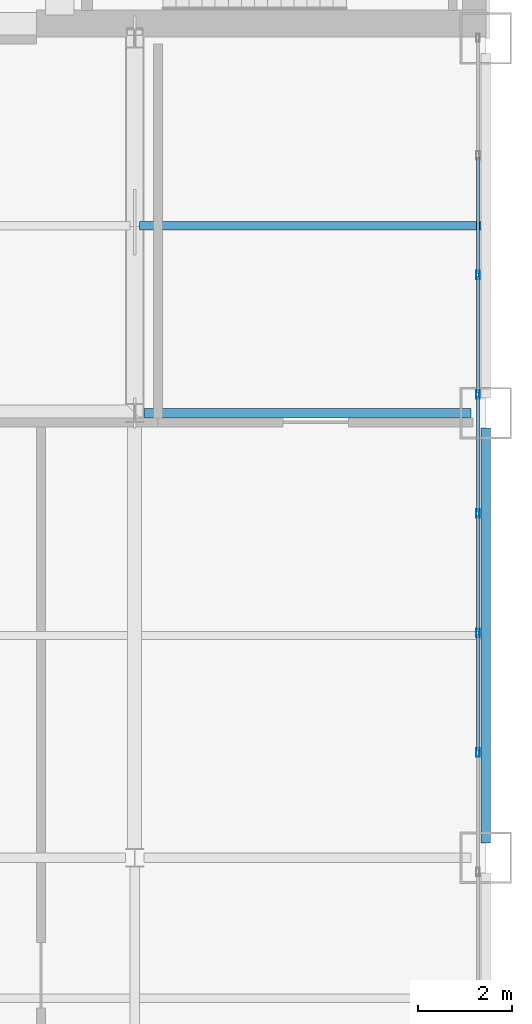
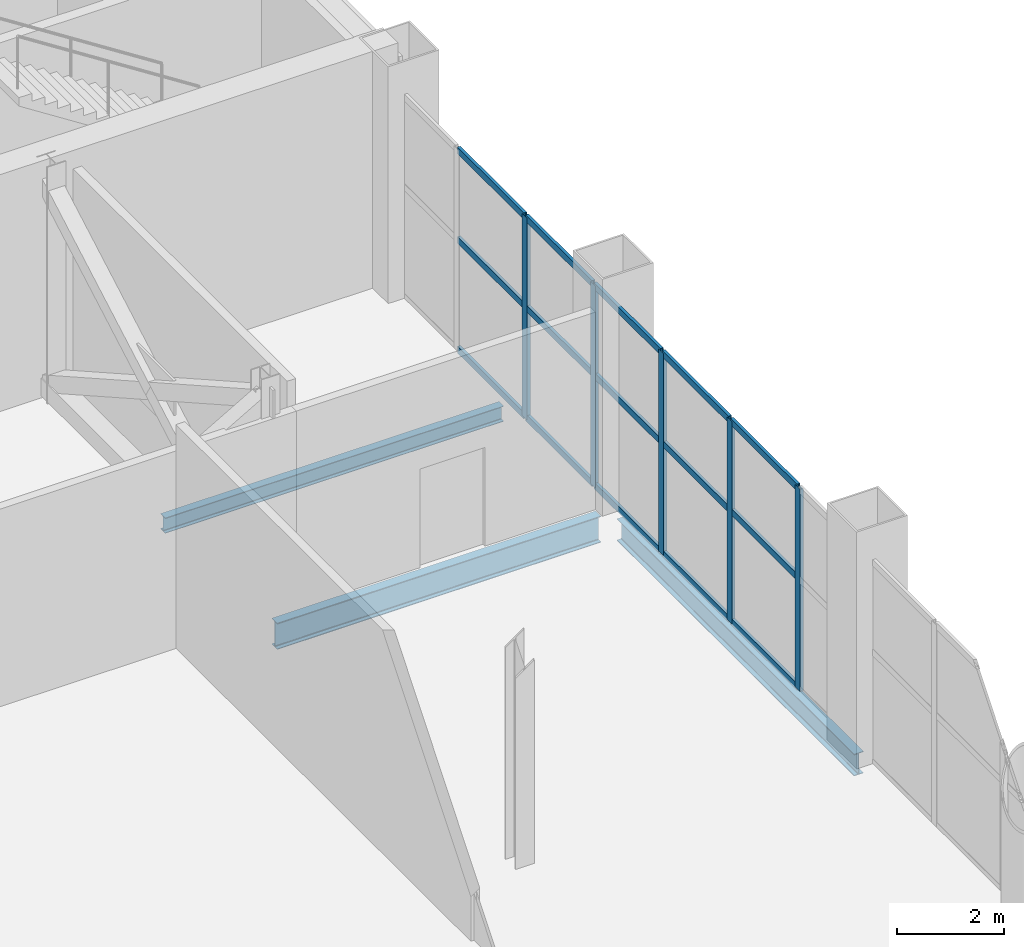
# One storey, part 12 of 24: 20 members, 3 beams, 1 element without a shape of its own.
"""IFC4 building model written with IfcOpenShell, lengths in metres."""

import ifcopenshell
import ifcopenshell.guid

model = None  # the IFC model being written
_history = None  # IfcOwnerHistory: only IFC2X3 demands one
_inside = {}  # id of a spatial element -> (the spatial element, [elements in it])
_under = {}  # id of a project, library or spatial element -> (it, [spatial elements below it])
_declared = {}  # id of a project -> (the project, [libraries it declares])
_typed = {}  # id of a type object -> (the type object, [elements of that type])
_made_of = {}  # id of a material, layer set ... -> (it, [elements and type objects made of it])


def new_model(schema):
    """Start an empty IFC model of exactly this schema.

    Asked for "IFC4X3", IfcOpenShell would pick the latest addendum, in which some entities
    have other attributes; the version numbers below select the first issue.
    IFC2X3 requires an IfcOwnerHistory on every rooted entity: one is made here for all.
    """
    global model, _history
    if schema == "IFC4X3":
        model = ifcopenshell.file(schema_version=(4, 3, 0, 0))
    else:
        model = ifcopenshell.file(schema=schema)
    _inside.clear()
    _under.clear()
    _declared.clear()
    _typed.clear()
    _made_of.clear()
    _history = None
    if model.schema == "IFC2X3":
        org = make("IfcOrganization", Name="unknown")
        user = make(
            "IfcPersonAndOrganization",
            ThePerson=make("IfcPerson", FamilyName="unknown"),
            TheOrganization=org,
        )
        app = make(
            "IfcApplication",
            ApplicationDeveloper=org,
            Version="unknown",
            ApplicationFullName="unknown",
            ApplicationIdentifier="unknown",
        )
        _history = make(
            "IfcOwnerHistory",
            OwningUser=user,
            OwningApplication=app,
            ChangeAction="ADDED",
            CreationDate=0,
        )
    return model


def make(cls, **values):
    """One entity of the class cls with the attributes given. An attribute that is None is left unset."""
    return model.create_entity(
        cls, **{name: value for name, value in values.items() if value is not None}
    )


def rooted(cls, **values):
    """An entity with a GlobalId (a new one), such as an element, a storey or a relation."""
    return make(cls, GlobalId=ifcopenshell.guid.new(), OwnerHistory=_history, **values)


def si_unit(unit_type, name, prefix=None):
    """IfcSIUnit, for example si_unit("LENGTHUNIT", "METRE", prefix="MILLI")."""
    return make("IfcSIUnit", UnitType=unit_type, Prefix=prefix, Name=name)


def assignment(units):
    """IfcUnitAssignment: the units of a project."""
    return None if units is None else make("IfcUnitAssignment", Units=units)


def point(xyz):
    """IfcCartesianPoint."""
    return None if xyz is None else make("IfcCartesianPoint", Coordinates=xyz)


def direction(xyz):
    """IfcDirection."""
    return None if xyz is None else make("IfcDirection", DirectionRatios=xyz)


def frame(location, z_axis=None, x_axis=None):
    """IfcAxis2Placement3D, a coordinate frame: its origin and axes. An axis left out is left unset."""
    return make(
        "IfcAxis2Placement3D",
        Location=point(location),
        Axis=direction(z_axis),
        RefDirection=direction(x_axis),
    )


def frame_2d(location, x_axis=None):
    """IfcAxis2Placement2D, a coordinate frame in the plane: its origin and x axis."""
    return make(
        "IfcAxis2Placement2D", Location=point(location), RefDirection=direction(x_axis)
    )


def origin():
    """The frame at (0, 0, 0) with its axes left unset."""
    return frame((0.0, 0.0, 0.0))


def origin_2d():
    """The frame at (0, 0) in the plane with its x axis left unset."""
    return frame_2d((0.0, 0.0))


def place(relative_to, where):
    """IfcLocalPlacement: puts the frame where relative to a parent placement (None: the world)."""
    return make(
        "IfcLocalPlacement", PlacementRelTo=relative_to, RelativePlacement=where
    )


def context(
    kind, dimensions, precision=None, world=None, true_north=None, identifier=None
):
    """IfcGeometricRepresentationContext, for example the 3D "Model" context."""
    return make(
        "IfcGeometricRepresentationContext",
        ContextIdentifier=identifier,
        ContextType=kind,
        CoordinateSpaceDimension=dimensions,
        Precision=precision,
        WorldCoordinateSystem=world,
        TrueNorth=true_north,
    )


def subcontext(parent, identifier, kind, view, scale=None):
    """IfcGeometricRepresentationSubContext, for example "Body" below "Model"."""
    return make(
        "IfcGeometricRepresentationSubContext",
        ContextIdentifier=identifier,
        ContextType=kind,
        ParentContext=parent,
        TargetScale=scale,
        TargetView=view,
    )


def project(units=None, contexts=None):
    """IfcProject with its units and contexts."""
    return rooted(
        "IfcProject",
        Name="project",
        RepresentationContexts=contexts,
        UnitsInContext=assignment(units),
    )


def spatial(cls, under=None, at=None, **own):
    """A site, building, storey or space (cls), placed at a placement, below another one or the project."""
    s = rooted(cls, ObjectPlacement=at, **own)
    if under is not None:
        _under.setdefault(under.id(), (under, []))[1].append(s)
    return s


def profile(cls, at=None, kind="AREA", **sizes):
    """A parametric profile (cls). Its sizes go by their IFC names, for example OverallWidth=200.0."""
    return make(cls, ProfileType=kind, Position=at, **sizes)


def hollow_rectangle(**sizes):
    """IfcRectangleHollowProfileDef."""
    return profile("IfcRectangleHollowProfileDef", **sizes)


def i_section(**sizes):
    """IfcIShapeProfileDef."""
    return profile("IfcIShapeProfileDef", **sizes)


def extrude(swept, where, along, depth):
    """IfcExtrudedAreaSolid: the profile swept, set in the frame where, extruded along a direction by depth."""
    return make(
        "IfcExtrudedAreaSolid",
        SweptArea=swept,
        Position=where,
        ExtrudedDirection=direction(along),
        Depth=depth,
    )


def shape(context_of_items, identifier, shape_type, items):
    """IfcShapeRepresentation: the items that make up one representation, for example the "Body"."""
    return make(
        "IfcShapeRepresentation",
        ContextOfItems=context_of_items,
        RepresentationIdentifier=identifier,
        RepresentationType=shape_type,
        Items=items,
    )


def material(Name=None, Category=None):
    """IfcMaterial."""
    return make("IfcMaterial", Name=Name, Category=Category)


def layer(
    of_material, thickness, ventilated=None, Name=None, Category=None, Priority=None
):
    """IfcMaterialLayer: one layer of a wall or slab, of a material (None: an air gap)."""
    return make(
        "IfcMaterialLayer",
        Material=of_material,
        LayerThickness=thickness,
        IsVentilated=ventilated,
        Name=Name,
        Category=Category,
        Priority=Priority,
    )


def layer_set(layers, Name=None):
    """IfcMaterialLayerSet."""
    return make("IfcMaterialLayerSet", MaterialLayers=layers, LayerSetName=Name)


def material_profile(
    of_material, cross_section, Name=None, Category=None, Priority=None
):
    """IfcMaterialProfile: a cross section and its material."""
    return make(
        "IfcMaterialProfile",
        Name=Name,
        Material=of_material,
        Profile=cross_section,
        Priority=Priority,
        Category=Category,
    )


def profile_set(profiles, Name=None, composite=None):
    """IfcMaterialProfileSet."""
    return make(
        "IfcMaterialProfileSet",
        Name=Name,
        MaterialProfiles=profiles,
        CompositeProfile=composite,
    )


def made_of(thing, what):
    """Note that an element or type object is made of a material, layer set ...; save() writes the relation."""
    if what is not None:
        _made_of.setdefault(what.id(), (what, []))[1].append(thing)
    return thing


def type_object(cls, material=None, **own):
    """A type object (cls), such as IfcWallType, which elements share."""
    return made_of(rooted(cls, **own), material)


def element(
    cls,
    number,
    at=None,
    inside=None,
    cuts=None,
    type_object=None,
    material=None,
    context=None,
    identifier="Body",
    shape_type=None,
    held_by="IfcProductDefinitionShape",
    body=None,
    shapes=None,
    **own,
):
    """One element of the class cls, such as IfcWall. Its Tag is "e" and its number.

    at: its placement. inside: the storey or other place that contains it. cuts: it is an
    opening in that element (IfcRelVoidsElement). A single representation is given by context,
    identifier, shape_type and body (its items); several are given by shapes. held_by: the class
    of the entity that holds the representations. save() writes the other relations.
    """
    e = rooted(cls, Tag="e%d" % number, ObjectPlacement=at, **own)
    if body is not None:
        shapes = [shape(context, identifier, shape_type, body)]
    if shapes is not None:
        e.Representation = make(held_by, Representations=shapes)
    if inside is not None:
        _inside.setdefault(inside.id(), (inside, []))[1].append(e)
    if cuts is not None:
        rooted(
            "IfcRelVoidsElement", RelatingBuildingElement=cuts, RelatedOpeningElement=e
        )
    if type_object is not None:
        _typed.setdefault(type_object.id(), (type_object, []))[1].append(e)
    return made_of(e, material)


def aggregate(whole, parts):
    """IfcRelAggregates: a whole, such as a stair, and the parts it consists of."""
    return rooted("IfcRelAggregates", RelatingObject=whole, RelatedObjects=parts)


def save(model, path):
    """Write the relations noted so far, then the file.

    IfcRelAggregates (storeys below a building ...), IfcRelContainedInSpatialStructure (elements
    in a storey), IfcRelDefinesByType, IfcRelAssociatesMaterial and IfcRelDeclares: one each for
    every whole, place, type object, material and project.
    """
    for whole, parts in _under.values():
        aggregate(whole, parts)
    for where, things in _inside.values():
        rooted(
            "IfcRelContainedInSpatialStructure",
            RelatedElements=things,
            RelatingStructure=where,
        )
    for kind, things in _typed.values():
        rooted("IfcRelDefinesByType", RelatedObjects=things, RelatingType=kind)
    for what, things in _made_of.values():
        rooted("IfcRelAssociatesMaterial", RelatedObjects=things, RelatingMaterial=what)
    for by, libraries in _declared.values():
        rooted("IfcRelDeclares", RelatingContext=by, RelatedDefinitions=libraries)
    model.write(path)


model = new_model("IFC4")

# Units and contexts
model_context = context("Model", 3, precision=1e-05, world=origin(), true_north=direction((0.0, 1.0)))
body_context = subcontext(model_context, "Body", "Model", "MODEL_VIEW")
ifc_project = project(units=[si_unit("LENGTHUNIT", "METRE"), si_unit("AREAUNIT", "SQUARE_METRE"), si_unit("VOLUMEUNIT", "CUBIC_METRE"), si_unit("PLANEANGLEUNIT", "RADIAN"), si_unit("MASSUNIT", "GRAM", prefix="KILO")], contexts=[model_context])

# Site, building, storey
site_placement = place(None, origin())
site = spatial("IfcSite", under=ifc_project, at=site_placement, CompositionType="ELEMENT")
building_placement = place(site_placement, origin())
building = spatial("IfcBuilding", under=site, at=building_placement, Name="Qianrong Seaharbour Tower", CompositionType="ELEMENT")
storey_placement = place(building_placement, frame((0.0, 0.0, 195.0)))
storey = spatial("IfcBuildingStorey", under=building, at=storey_placement, Name="L47", CompositionType="ELEMENT", Elevation=195.0)

# Beams
ifc_material_1 = material(Name="Structural steel SN490B", Category="steel")
ifc_material_profile_1 = material_profile(ifc_material_1, i_section(OverallWidth=0.199951171875, OverallDepth=0.60009765625, WebThickness=0.010986328125, FlangeThickness=0.01708984375, FilletRadius=0.02197265625, at=origin_2d()), Name="H600x200x11x17")
ifc_profile_set_1 = profile_set([ifc_material_profile_1], Name="Structural steel SN490B")
beam_type_1 = type_object("IfcBeamType", Name="BM-G-600", PredefinedType="BEAM", material=ifc_profile_set_1)
beam_1_placement = place(storey_placement, frame((56.699951171875, 28.0, -0.64990234375), z_axis=(1.0, 0.0, 0.0), x_axis=(0.0, 1.0, 0.0)))
element("IfcBeam", 1, at=beam_1_placement, inside=storey, type_object=beam_type_1, Name="L47 Primary Girder GE G8-G9", PredefinedType="BEAM", context=body_context, shape_type="SweptSolid", body=[
    extrude(i_section(OverallWidth=0.199951171875, OverallDepth=0.60009765625, WebThickness=0.010986328125, FlangeThickness=0.01708984375, FilletRadius=0.02197265625, at=origin_2d()), origin(), (0.0, 0.0, 1.0), 6.97998046875),
])
ifc_material_2 = material(Name="Structural steel SN400B", Category="steel")
ifc_material_profile_2 = material_profile(ifc_material_2, i_section(OverallWidth=0.175048828125, OverallDepth=0.35009765625, WebThickness=0.007080078125, FlangeThickness=0.010986328125, FilletRadius=0.013916015625, at=origin_2d()), Name="H350x175x7x11")
ifc_profile_set_2 = profile_set([ifc_material_profile_2], Name="Structural steel SN400B")
beam_type_2 = type_object("IfcBeamType", Name="BM-J-350", PredefinedType="JOIST", material=ifc_profile_set_2)
beam_2_placement = place(storey_placement, frame((56.60009765625, 32.0, -0.52490234375), z_axis=(1.0, 0.0, 0.0), x_axis=(0.0, 1.0, 0.0)))
element("IfcBeam", 2, at=beam_2_placement, inside=storey, type_object=beam_type_2, Name="L47 Composite Floor Joist G8-G9/GE-GF", PredefinedType="JOIST", context=body_context, shape_type="SweptSolid", body=[
    extrude(i_section(OverallWidth=0.175048828125, OverallDepth=0.35009765625, WebThickness=0.007080078125, FlangeThickness=0.010986328125, FilletRadius=0.013916015625, at=origin_2d()), origin(), (0.0, 0.0, 1.0), 7.2998046875),
])
ifc_material_profile_3 = material_profile(ifc_material_1, i_section(OverallWidth=0.199951171875, OverallDepth=0.5, WebThickness=0.010009765625, FlangeThickness=0.01611328125, FilletRadius=0.02001953125, at=origin_2d()), Name="H500x200x10x16")
ifc_profile_set_3 = profile_set([ifc_material_profile_3], Name="Structural steel SN490B")
beam_type_3 = type_object("IfcBeamType", Name="BM-SP-500", PredefinedType="SPANDREL", material=ifc_profile_set_3)
beam_3_placement = place(storey_placement, frame((64.0, 18.820068359375, -0.60009765625), z_axis=(0.0, 1.0, 0.0), x_axis=(-1.0, 0.0, 0.0)))
element("IfcBeam", 3, at=beam_3_placement, inside=storey, type_object=beam_type_3, Name="L47 Spandrel Girder G9 GD-GE", PredefinedType="SPANDREL", context=body_context, shape_type="SweptSolid", body=[
    extrude(i_section(OverallWidth=0.199951171875, OverallDepth=0.5, WebThickness=0.010009765625, FlangeThickness=0.01611328125, FilletRadius=0.02001953125, at=origin_2d()), origin(), (0.0, 0.0, 1.0), 8.85986328125),
])

# Curtain wall, members
ifc_material_3 = material(Name="Anodised aluminium 6063-T6 and laminated low-e glass", Category="aluminium")
ifc_layer = layer(ifc_material_3, 0.18505859375)
ifc_layer_set = layer_set([ifc_layer], Name="Anodised aluminium 6063-T6 and laminated low-e glass")
curtain_wall_type = type_object("IfcCurtainWallType", Name="CW-SYS-4", PredefinedType="NOTDEFINED", material=ifc_layer_set)
curtain_wall_placement = place(storey_placement, origin())
curtain_wall = element("IfcCurtainWall", 4, at=curtain_wall_placement, inside=storey, type_object=curtain_wall_type, Name="L47 Refuge Acoustic Louvre Curtain Wall EAST_WING", PredefinedType="NOTDEFINED")
ifc_material_4 = material(Name="Extruded aluminium 6063-T6", Category="aluminium")
ifc_material_profile_4 = material_profile(ifc_material_4, hollow_rectangle(XDim=0.070068359375, YDim=0.179931640625, WallThickness=0.00390625, at=origin_2d()), Name="ALU-MUL-180x70x4")
ifc_profile_set_4 = profile_set([ifc_material_profile_4], Name="Extruded aluminium 6063-T6")
member_type_1 = type_object("IfcMemberType", Name="CW-MUL-180", PredefinedType="MULLION", material=ifc_profile_set_4)
member_1_placement = place(storey_placement, frame((63.830078125, 30.949951171875, 0.0), z_axis=(0.0, 0.0, 1.0), x_axis=(1.0, 0.0, 0.0)))
member_1 = element("IfcMember", 5, at=member_1_placement, type_object=member_type_1, Name="CW-4 mullion 3", PredefinedType="MULLION", context=body_context, shape_type="SweptSolid", body=[
    extrude(hollow_rectangle(XDim=0.070068359375, YDim=0.179931640625, WallThickness=0.00390625, at=origin_2d()), origin(), (0.0, 0.0, 1.0), 4.610107421875),
])
member_2_placement = place(storey_placement, frame((63.830078125, 28.39990234375, 0.0), z_axis=(0.0, 0.0, 1.0), x_axis=(1.0, 0.0, 0.0)))
member_2 = element("IfcMember", 6, at=member_2_placement, type_object=member_type_1, Name="CW-4 mullion 4", PredefinedType="MULLION", context=body_context, shape_type="SweptSolid", body=[
    extrude(hollow_rectangle(XDim=0.070068359375, YDim=0.179931640625, WallThickness=0.00390625, at=origin_2d()), origin(), (0.0, 0.0, 1.0), 4.610107421875),
])
member_3_placement = place(storey_placement, frame((63.830078125, 25.85009765625, 0.0), z_axis=(0.0, 0.0, 1.0), x_axis=(1.0, 0.0, 0.0)))
member_3 = element("IfcMember", 7, at=member_3_placement, type_object=member_type_1, Name="CW-4 mullion 5", PredefinedType="MULLION", context=body_context, shape_type="SweptSolid", body=[
    extrude(hollow_rectangle(XDim=0.070068359375, YDim=0.179931640625, WallThickness=0.00390625, at=origin_2d()), origin(), (0.0, 0.0, 1.0), 4.610107421875),
])
member_4_placement = place(storey_placement, frame((63.830078125, 23.300048828125, 0.0), z_axis=(0.0, 0.0, 1.0), x_axis=(1.0, 0.0, 0.0)))
member_4 = element("IfcMember", 8, at=member_4_placement, type_object=member_type_1, Name="CW-4 mullion 6", PredefinedType="MULLION", context=body_context, shape_type="SweptSolid", body=[
    extrude(hollow_rectangle(XDim=0.070068359375, YDim=0.179931640625, WallThickness=0.00390625, at=origin_2d()), origin(), (0.0, 0.0, 1.0), 4.610107421875),
])
member_5_placement = place(storey_placement, frame((63.830078125, 20.75, 0.0), z_axis=(0.0, 0.0, 1.0), x_axis=(1.0, 0.0, 0.0)))
member_5 = element("IfcMember", 9, at=member_5_placement, type_object=member_type_1, Name="CW-4 mullion 7", PredefinedType="MULLION", context=body_context, shape_type="SweptSolid", body=[
    extrude(hollow_rectangle(XDim=0.070068359375, YDim=0.179931640625, WallThickness=0.00390625, at=origin_2d()), origin(), (0.0, 0.0, 1.0), 4.610107421875),
])
ifc_material_profile_5 = material_profile(ifc_material_4, hollow_rectangle(XDim=0.06494140625, YDim=0.14990234375, WallThickness=0.00390625, at=origin_2d()), Name="ALU-TRN-150x65x4")
ifc_profile_set_5 = profile_set([ifc_material_profile_5], Name="Extruded aluminium 6063-T6")
member_type_2 = type_object("IfcMemberType", Name="CW-TRN-150", PredefinedType="USERDEFINED", material=ifc_profile_set_5)
member_6_placement = place(storey_placement, frame((63.830078125, 33.465087890625, 0.032470703125), z_axis=(0.0, -1.0, 0.0), x_axis=(1.0, 0.0, 0.0)))
member_6 = element("IfcMember", 10, at=member_6_placement, type_object=member_type_2, Name="CW-4 transom 2.1", ObjectType="TRANSOM", PredefinedType="USERDEFINED", context=body_context, shape_type="SweptSolid", body=[
    extrude(hollow_rectangle(XDim=0.06494140625, YDim=0.14990234375, WallThickness=0.00390625, at=origin_2d()), origin(), (0.0, 0.0, 1.0), 2.47998046875),
])
member_7_placement = place(storey_placement, frame((63.830078125, 33.465087890625, 2.535400390625), z_axis=(0.0, -1.0, 0.0), x_axis=(1.0, 0.0, 0.0)))
member_7 = element("IfcMember", 11, at=member_7_placement, type_object=member_type_2, Name="CW-4 transom 2.2", ObjectType="TRANSOM", PredefinedType="USERDEFINED", context=body_context, shape_type="SweptSolid", body=[
    extrude(hollow_rectangle(XDim=0.06494140625, YDim=0.14990234375, WallThickness=0.00390625, at=origin_2d()), origin(), (0.0, 0.0, 1.0), 2.47998046875),
])
member_8_placement = place(storey_placement, frame((63.830078125, 33.465087890625, 4.577392578125), z_axis=(0.0, -1.0, 0.0), x_axis=(1.0, 0.0, 0.0)))
member_8 = element("IfcMember", 12, at=member_8_placement, type_object=member_type_2, Name="CW-4 transom 2.3", ObjectType="TRANSOM", PredefinedType="USERDEFINED", context=body_context, shape_type="SweptSolid", body=[
    extrude(hollow_rectangle(XDim=0.06494140625, YDim=0.14990234375, WallThickness=0.00390625, at=origin_2d()), origin(), (0.0, 0.0, 1.0), 2.47998046875),
])
member_9_placement = place(storey_placement, frame((63.830078125, 30.9150390625, 0.032470703125), z_axis=(0.0, -1.0, 0.0), x_axis=(1.0, 0.0, 0.0)))
member_9 = element("IfcMember", 13, at=member_9_placement, type_object=member_type_2, Name="CW-4 transom 3.1", ObjectType="TRANSOM", PredefinedType="USERDEFINED", context=body_context, shape_type="SweptSolid", body=[
    extrude(hollow_rectangle(XDim=0.06494140625, YDim=0.14990234375, WallThickness=0.00390625, at=origin_2d()), origin(), (0.0, 0.0, 1.0), 2.47998046875),
])
member_10_placement = place(storey_placement, frame((63.830078125, 30.9150390625, 2.535400390625), z_axis=(0.0, -1.0, 0.0), x_axis=(1.0, 0.0, 0.0)))
member_10 = element("IfcMember", 14, at=member_10_placement, type_object=member_type_2, Name="CW-4 transom 3.2", ObjectType="TRANSOM", PredefinedType="USERDEFINED", context=body_context, shape_type="SweptSolid", body=[
    extrude(hollow_rectangle(XDim=0.06494140625, YDim=0.14990234375, WallThickness=0.00390625, at=origin_2d()), origin(), (0.0, 0.0, 1.0), 2.47998046875),
])
member_11_placement = place(storey_placement, frame((63.830078125, 30.9150390625, 4.577392578125), z_axis=(0.0, -1.0, 0.0), x_axis=(1.0, 0.0, 0.0)))
member_11 = element("IfcMember", 15, at=member_11_placement, type_object=member_type_2, Name="CW-4 transom 3.3", ObjectType="TRANSOM", PredefinedType="USERDEFINED", context=body_context, shape_type="SweptSolid", body=[
    extrude(hollow_rectangle(XDim=0.06494140625, YDim=0.14990234375, WallThickness=0.00390625, at=origin_2d()), origin(), (0.0, 0.0, 1.0), 2.47998046875),
])
member_12_placement = place(storey_placement, frame((63.830078125, 28.364990234375, 0.032470703125), z_axis=(0.0, -1.0, 0.0), x_axis=(1.0, 0.0, 0.0)))
member_12 = element("IfcMember", 16, at=member_12_placement, type_object=member_type_2, Name="CW-4 transom 4.1", ObjectType="TRANSOM", PredefinedType="USERDEFINED", context=body_context, shape_type="SweptSolid", body=[
    extrude(hollow_rectangle(XDim=0.06494140625, YDim=0.14990234375, WallThickness=0.00390625, at=origin_2d()), origin(), (0.0, 0.0, 1.0), 2.47998046875),
])
member_13_placement = place(storey_placement, frame((63.830078125, 28.364990234375, 2.535400390625), z_axis=(0.0, -1.0, 0.0), x_axis=(1.0, 0.0, 0.0)))
member_13 = element("IfcMember", 17, at=member_13_placement, type_object=member_type_2, Name="CW-4 transom 4.2", ObjectType="TRANSOM", PredefinedType="USERDEFINED", context=body_context, shape_type="SweptSolid", body=[
    extrude(hollow_rectangle(XDim=0.06494140625, YDim=0.14990234375, WallThickness=0.00390625, at=origin_2d()), origin(), (0.0, 0.0, 1.0), 2.47998046875),
])
member_14_placement = place(storey_placement, frame((63.830078125, 28.364990234375, 4.577392578125), z_axis=(0.0, -1.0, 0.0), x_axis=(1.0, 0.0, 0.0)))
member_14 = element("IfcMember", 18, at=member_14_placement, type_object=member_type_2, Name="CW-4 transom 4.3", ObjectType="TRANSOM", PredefinedType="USERDEFINED", context=body_context, shape_type="SweptSolid", body=[
    extrude(hollow_rectangle(XDim=0.06494140625, YDim=0.14990234375, WallThickness=0.00390625, at=origin_2d()), origin(), (0.0, 0.0, 1.0), 2.47998046875),
])
member_15_placement = place(storey_placement, frame((63.830078125, 25.81494140625, 0.032470703125), z_axis=(0.0, -1.0, 0.0), x_axis=(1.0, 0.0, 0.0)))
member_15 = element("IfcMember", 19, at=member_15_placement, type_object=member_type_2, Name="CW-4 transom 5.1", ObjectType="TRANSOM", PredefinedType="USERDEFINED", context=body_context, shape_type="SweptSolid", body=[
    extrude(hollow_rectangle(XDim=0.06494140625, YDim=0.14990234375, WallThickness=0.00390625, at=origin_2d()), origin(), (0.0, 0.0, 1.0), 2.47998046875),
])
member_16_placement = place(storey_placement, frame((63.830078125, 25.81494140625, 2.535400390625), z_axis=(0.0, -1.0, 0.0), x_axis=(1.0, 0.0, 0.0)))
member_16 = element("IfcMember", 20, at=member_16_placement, type_object=member_type_2, Name="CW-4 transom 5.2", ObjectType="TRANSOM", PredefinedType="USERDEFINED", context=body_context, shape_type="SweptSolid", body=[
    extrude(hollow_rectangle(XDim=0.06494140625, YDim=0.14990234375, WallThickness=0.00390625, at=origin_2d()), origin(), (0.0, 0.0, 1.0), 2.47998046875),
])
member_17_placement = place(storey_placement, frame((63.830078125, 25.81494140625, 4.577392578125), z_axis=(0.0, -1.0, 0.0), x_axis=(1.0, 0.0, 0.0)))
member_17 = element("IfcMember", 21, at=member_17_placement, type_object=member_type_2, Name="CW-4 transom 5.3", ObjectType="TRANSOM", PredefinedType="USERDEFINED", context=body_context, shape_type="SweptSolid", body=[
    extrude(hollow_rectangle(XDim=0.06494140625, YDim=0.14990234375, WallThickness=0.00390625, at=origin_2d()), origin(), (0.0, 0.0, 1.0), 2.47998046875),
])
member_18_placement = place(storey_placement, frame((63.830078125, 23.264892578125, 0.032470703125), z_axis=(0.0, -1.0, 0.0), x_axis=(1.0, 0.0, 0.0)))
member_18 = element("IfcMember", 22, at=member_18_placement, type_object=member_type_2, Name="CW-4 transom 6.1", ObjectType="TRANSOM", PredefinedType="USERDEFINED", context=body_context, shape_type="SweptSolid", body=[
    extrude(hollow_rectangle(XDim=0.06494140625, YDim=0.14990234375, WallThickness=0.00390625, at=origin_2d()), origin(), (0.0, 0.0, 1.0), 2.47998046875),
])
member_19_placement = place(storey_placement, frame((63.830078125, 23.264892578125, 2.535400390625), z_axis=(0.0, -1.0, 0.0), x_axis=(1.0, 0.0, 0.0)))
member_19 = element("IfcMember", 23, at=member_19_placement, type_object=member_type_2, Name="CW-4 transom 6.2", ObjectType="TRANSOM", PredefinedType="USERDEFINED", context=body_context, shape_type="SweptSolid", body=[
    extrude(hollow_rectangle(XDim=0.06494140625, YDim=0.14990234375, WallThickness=0.00390625, at=origin_2d()), origin(), (0.0, 0.0, 1.0), 2.47998046875),
])
member_20_placement = place(storey_placement, frame((63.830078125, 23.264892578125, 4.577392578125), z_axis=(0.0, -1.0, 0.0), x_axis=(1.0, 0.0, 0.0)))
member_20 = element("IfcMember", 24, at=member_20_placement, type_object=member_type_2, Name="CW-4 transom 6.3", ObjectType="TRANSOM", PredefinedType="USERDEFINED", context=body_context, shape_type="SweptSolid", body=[
    extrude(hollow_rectangle(XDim=0.06494140625, YDim=0.14990234375, WallThickness=0.00390625, at=origin_2d()), origin(), (0.0, 0.0, 1.0), 2.47998046875),
])
aggregate(curtain_wall, [member_1, member_2, member_3, member_4, member_5, member_6, member_7, member_8, member_9, member_10, member_11, member_12, member_13, member_14, member_15, member_16, member_17, member_18, member_19, member_20])

save(model, "model.ifc")
